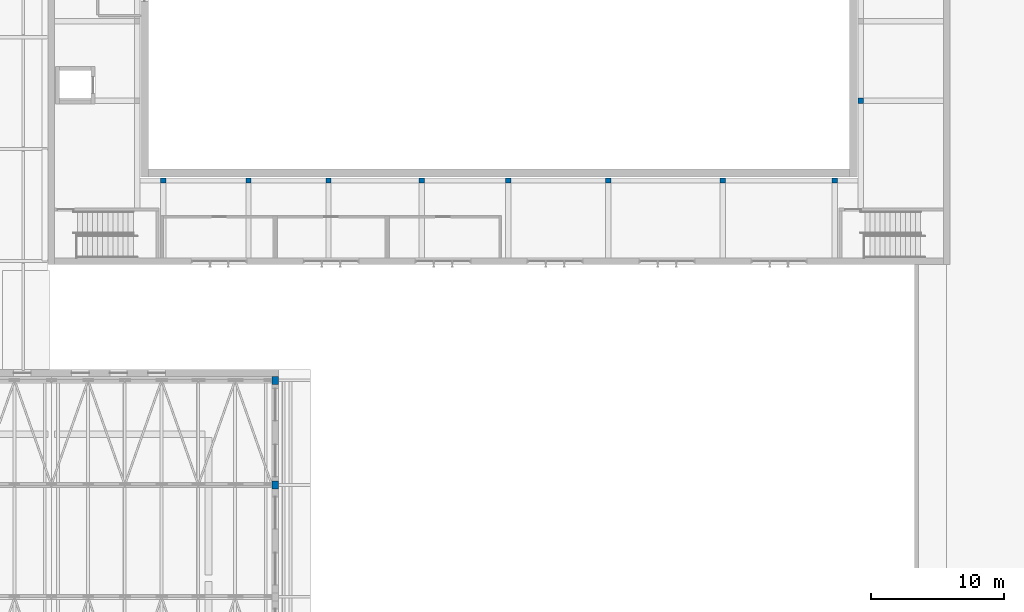
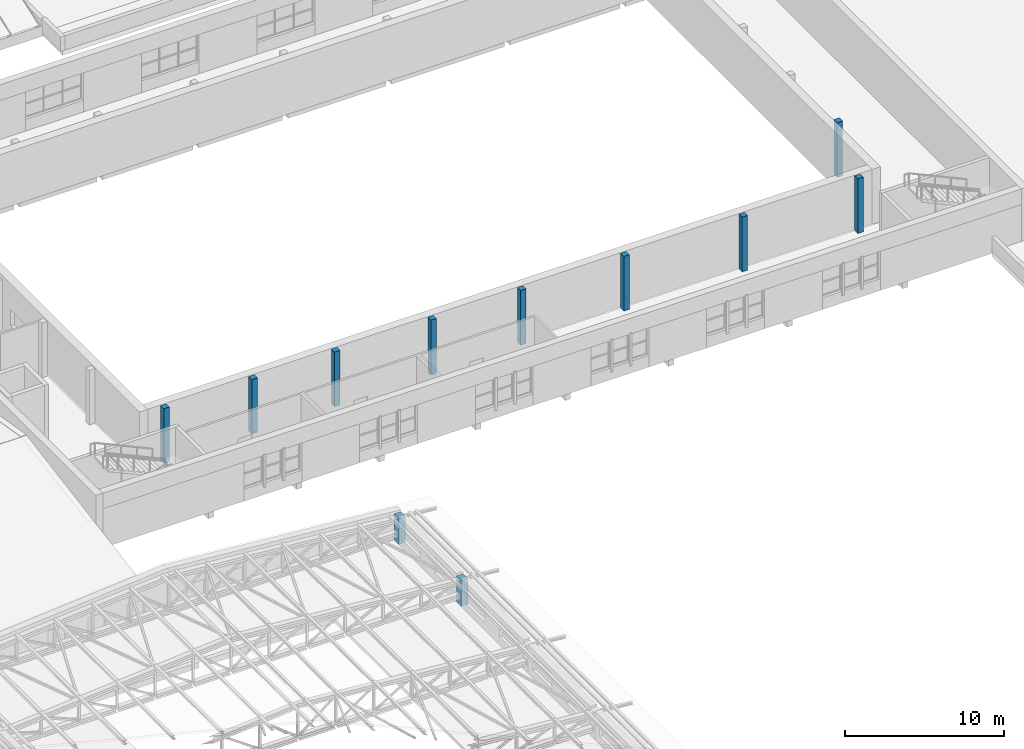
# One storey, part 3 of 60: 11 columns.
"""IFC4 building model written with IfcOpenShell, lengths in metres."""

from ifc_helpers import new_model, si_unit, direction, frame, origin, origin_2d, place, context, subcontext, project, spatial, rectangle, extrude, material, material_profile, profile_set, type_object, element, save


model = new_model("IFC4")

# Units and contexts
model_context = context("Model", 3, precision=1e-05, world=origin(), true_north=direction((0.0, 1.0)))
body_context = subcontext(model_context, "Body", "Model", "MODEL_VIEW")
ifc_project = project(units=[si_unit("LENGTHUNIT", "METRE"), si_unit("AREAUNIT", "SQUARE_METRE"), si_unit("VOLUMEUNIT", "CUBIC_METRE"), si_unit("PLANEANGLEUNIT", "RADIAN"), si_unit("MASSUNIT", "GRAM", prefix="KILO")], contexts=[model_context])

# Site, building, storey
site_placement = place(None, origin())
site = spatial("IfcSite", under=ifc_project, at=site_placement, CompositionType="ELEMENT")
building_placement = place(site_placement, origin())
building = spatial("IfcBuilding", under=site, at=building_placement, Name="Ljudholm Concert House", CompositionType="ELEMENT")
storey_placement = place(building_placement, frame((0.0, 0.0, 15.0)))
storey = spatial("IfcBuildingStorey", under=building, at=storey_placement, Name="L03", CompositionType="ELEMENT", Elevation=15.0)

# Columns
ifc_material_1 = material(Name="Concrete 6,500 psi", Category="concrete")
ifc_material_profile_1 = material_profile(ifc_material_1, rectangle(XDim=0.39990234375, YDim=0.39990234375, at=origin_2d()), Name="RC COLUMN 400x400")
ifc_profile_set_1 = profile_set([ifc_material_profile_1], Name="Concrete 6,500 psi")
column_type_1 = type_object("IfcColumnType", Name="RC COLUMN 400x400", PredefinedType="COLUMN", material=ifc_profile_set_1)
for number, where, z_axis, x_axis, name in (
    (1, (37.60009765625, 60.449951171875, 0.0), (0.0, 0.0, 1.0), (1.0, 0.0, 0.0), "Ring column"),
    (2, (44.0, 60.449951171875, 0.0), (0.0, 0.0, 1.0), (1.0, 0.0, 0.0), "Ring column"),
    (3, (50.0, 60.449951171875, 0.0), (0.0, 0.0, 1.0), (1.0, 0.0, 0.0), "Ring column"),
    (4, (57.0, 60.449951171875, 0.0), (0.0, 0.0, 1.0), (1.0, 0.0, 0.0), "Ring column"),
    (5, (63.5, 60.449951171875, 0.0), (0.0, 0.0, 1.0), (1.0, 0.0, 0.0), "Ring column"),
    (6, (71.0, 60.449951171875, 0.0), (0.0, 0.0, 1.0), (1.0, 0.0, 0.0), "Ring column"),
    (7, (79.60009765625, 60.449951171875, 0.0), (0.0, 0.0, 1.0), (1.0, 0.0, 0.0), "Ring column"),
    (8, (88.0, 60.449951171875, 0.0), (0.0, 0.0, 1.0), (1.0, 0.0, 0.0), "Ring column"),
    (9, (89.949951171875, 66.429931640625, 0.0), (0.0, 0.0, 1.0), (1.0, 0.0, 0.0), "Ring column"),
):
    element("IfcColumn", number, at=place(storey_placement, frame(where, z_axis=z_axis, x_axis=x_axis)), inside=storey, type_object=column_type_1, Name=name, PredefinedType="COLUMN", context=body_context, shape_type="SweptSolid", body=[
        extrude(rectangle(XDim=0.39990234375, YDim=0.39990234375, at=origin_2d()), origin(), (0.0, 0.0, 1.0), 4.199951171875),
    ])
ifc_material_2 = material(Name="Concrete 6,500 psi", Category="concrete")
ifc_material_profile_2 = material_profile(ifc_material_2, rectangle(XDim=0.60009765625, YDim=0.5, at=origin_2d()), Name="RC COLUMN 600x500")
ifc_profile_set_2 = profile_set([ifc_material_profile_2], Name="Concrete 6,500 psi")
column_type_2 = type_object("IfcColumnType", Name="RC COLUMN 600x500", PredefinedType="COLUMN", material=ifc_profile_set_2)
for number, where, z_axis, x_axis, name in (
    (10, (46.0, 37.60009765625, 0.0), (0.0, 0.0, 1.0), (0.0, 1.0, 0.0), "Truss pilaster"),
    (11, (46.0, 45.449951171875, 0.0), (0.0, 0.0, 1.0), (0.0, 1.0, 0.0), "Truss pilaster"),
):
    element("IfcColumn", number, at=place(storey_placement, frame(where, z_axis=z_axis, x_axis=x_axis)), inside=storey, type_object=column_type_2, Name=name, PredefinedType="COLUMN", context=body_context, shape_type="SweptSolid", body=[
        extrude(rectangle(XDim=0.60009765625, YDim=0.5, at=origin_2d()), origin(), (0.0, 0.0, 1.0), 2.0),
    ])

save(model, "model.ifc")
